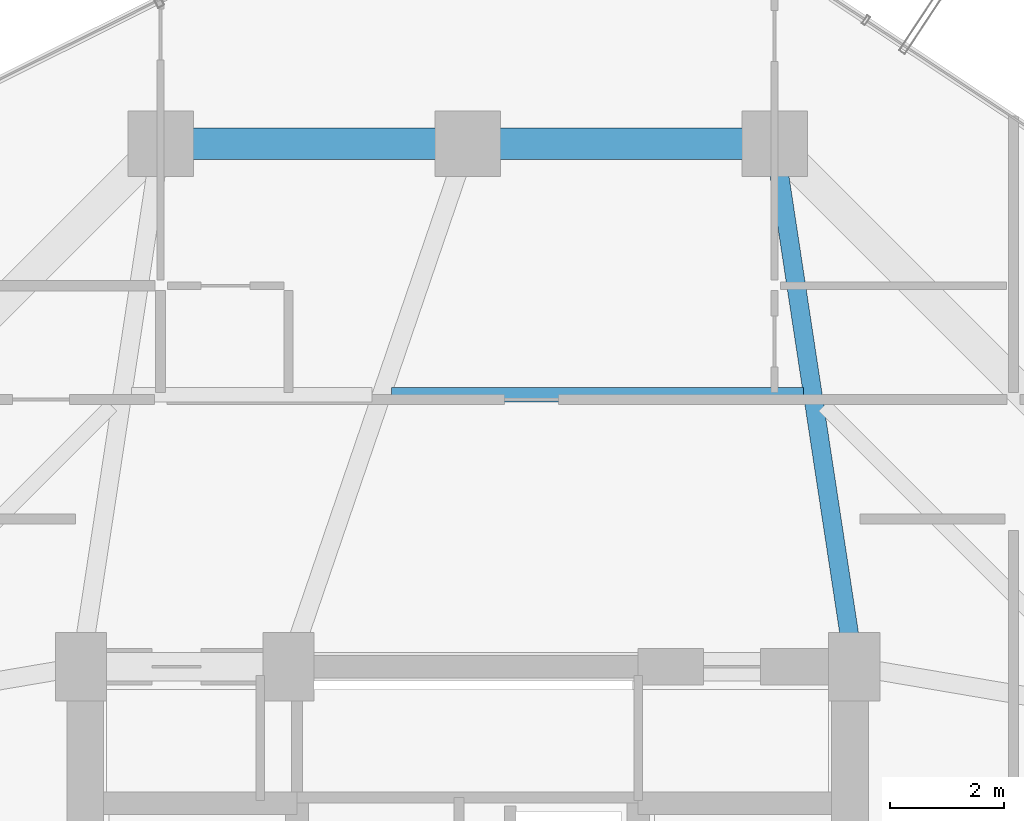
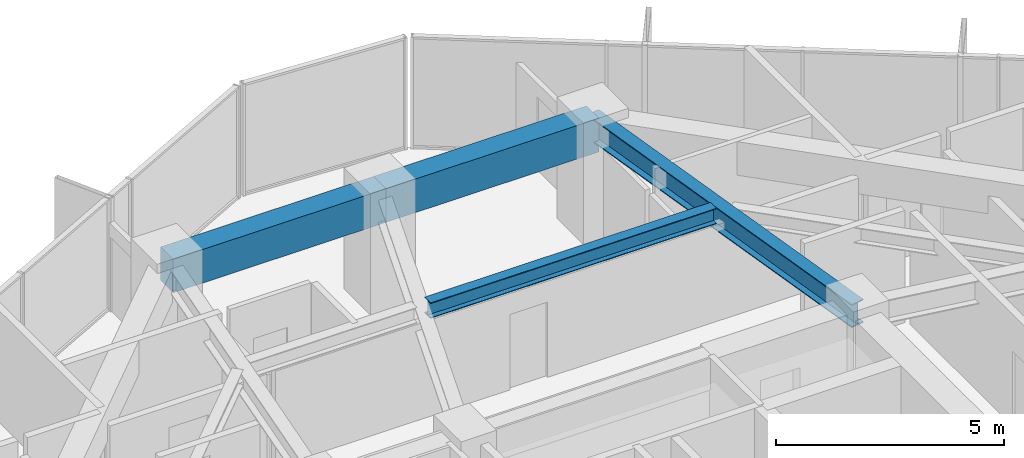
# One storey, part 20 of 30: 4 beams.
"""IFC4 building model written with IfcOpenShell, lengths in metres."""

from ifc_helpers import new_model, si_unit, direction, frame, origin, origin_2d, place, context, subcontext, project, spatial, rectangle, i_section, extrude, material, material_profile, profile_set, type_object, element, save


model = new_model("IFC4")

# Units and contexts
model_context = context("Model", 3, precision=1e-05, world=origin(), true_north=direction((0.0, 1.0)))
body_context = subcontext(model_context, "Body", "Model", "MODEL_VIEW")
ifc_project = project(units=[si_unit("LENGTHUNIT", "METRE"), si_unit("AREAUNIT", "SQUARE_METRE"), si_unit("VOLUMEUNIT", "CUBIC_METRE"), si_unit("PLANEANGLEUNIT", "RADIAN"), si_unit("MASSUNIT", "GRAM", prefix="KILO")], contexts=[model_context])

# Site, building, storey
site_placement = place(None, origin())
site = spatial("IfcSite", under=ifc_project, at=site_placement, CompositionType="ELEMENT")
building_placement = place(site_placement, origin())
building = spatial("IfcBuilding", under=site, at=building_placement, Name="Veraguas Prism Commons", CompositionType="ELEMENT")
storey_placement = place(building_placement, frame((0.0, 0.0, 116.5)))
storey = spatial("IfcBuildingStorey", under=building, at=storey_placement, Name="L32", CompositionType="ELEMENT", Elevation=116.5)

# Beams
ifc_material_1 = material(Name="Steel ASTM A992 Grade 50", Category="steel")
ifc_material_profile_1 = material_profile(ifc_material_1, i_section(OverallWidth=0.260986328125, OverallDepth=0.419921875, WebThickness=0.01171875, FlangeThickness=0.019287109375, at=origin_2d()), Name="W410X114")
ifc_profile_set_1 = profile_set([ifc_material_profile_1], Name="Steel ASTM A992 Grade 50")
beam_type_1 = type_object("IfcBeamType", Name="Lower Floor Joist W410x114", PredefinedType="JOIST", material=ifc_profile_set_1)
beam_1_placement = place(storey_placement, frame((29.908203125, 35.783935546875, 2.7900390625), z_axis=(-1.0, 0.0, 0.0), x_axis=(0.0, -1.0, 0.0)))
element("IfcBeam", 1, at=beam_1_placement, inside=storey, type_object=beam_type_1, Name="Composite Floor Joist L32-JS04", PredefinedType="JOIST", context=body_context, shape_type="SweptSolid", body=[
    extrude(i_section(OverallWidth=0.260986328125, OverallDepth=0.419921875, WebThickness=0.01171875, FlangeThickness=0.019287109375, at=origin_2d()), origin(), (0.0, 0.0, 1.0), 7.2490234375),
])
ifc_material_2 = material(Name="Concrete C50/60", Category="concrete")
ifc_material_profile_2 = material_profile(ifc_material_2, rectangle(XDim=0.550048828125, YDim=0.89990234375, at=origin_2d()), Name="RC550X900")
ifc_profile_set_2 = profile_set([ifc_material_profile_2], Name="Concrete C50/60")
beam_type_2 = type_object("IfcBeamType", Name="Perimeter Spandrel Lower RC 550x900", PredefinedType="SPANDREL", material=ifc_profile_set_2)
for number, where, z_axis, x_axis, name in (
    (2, (29.39990234375, 40.199951171875, 2.550048828125), (-1.0, 0.0, 0.0), (0.0, -1.0, 0.0), "Perimeter Spandrel Beam L32-SP04"),
    (3, (24.0, 40.199951171875, 2.550048828125), (-1.0, 0.0, 0.0), (0.0, -1.0, 0.0), "Perimeter Spandrel Beam L32-SP05"),
):
    element("IfcBeam", number, at=place(storey_placement, frame(where, z_axis=z_axis, x_axis=x_axis)), inside=storey, type_object=beam_type_2, Name=name, PredefinedType="SPANDREL", context=body_context, shape_type="SweptSolid", body=[
        extrude(rectangle(XDim=0.550048828125, YDim=0.89990234375, at=origin_2d()), origin(), (0.0, 0.0, 1.0), 5.39990234375),
    ])
ifc_material_profile_3 = material_profile(ifc_material_1, i_section(OverallWidth=0.327880859375, OverallDepth=0.6220703125, WebThickness=0.015380859375, FlangeThickness=0.0244140625, at=origin_2d()), Name="W610X195")
ifc_profile_set_3 = profile_set([ifc_material_profile_3], Name="Steel ASTM A992 Grade 50")
beam_type_3 = type_object("IfcBeamType", Name="Zone 2 Radial Girder W610x195", PredefinedType="BEAM", material=ifc_profile_set_3)
beam_2_placement = place(storey_placement, frame((29.39990234375, 40.199951171875, 2.68896484375), z_axis=(0.150458162136, -0.98861637729, 0.0), x_axis=(0.98861637729, 0.150458162136, 0.0)))
element("IfcBeam", 4, at=beam_2_placement, inside=storey, type_object=beam_type_3, Name="Radial Floor Girder L32-RD04", PredefinedType="BEAM", context=body_context, shape_type="SweptSolid", body=[
    extrude(i_section(OverallWidth=0.327880859375, OverallDepth=0.6220703125, WebThickness=0.015380859375, FlangeThickness=0.0244140625, at=origin_2d()), origin(), (0.0, 0.0, 1.0), 9.305908203125),
])

save(model, "model.ifc")
